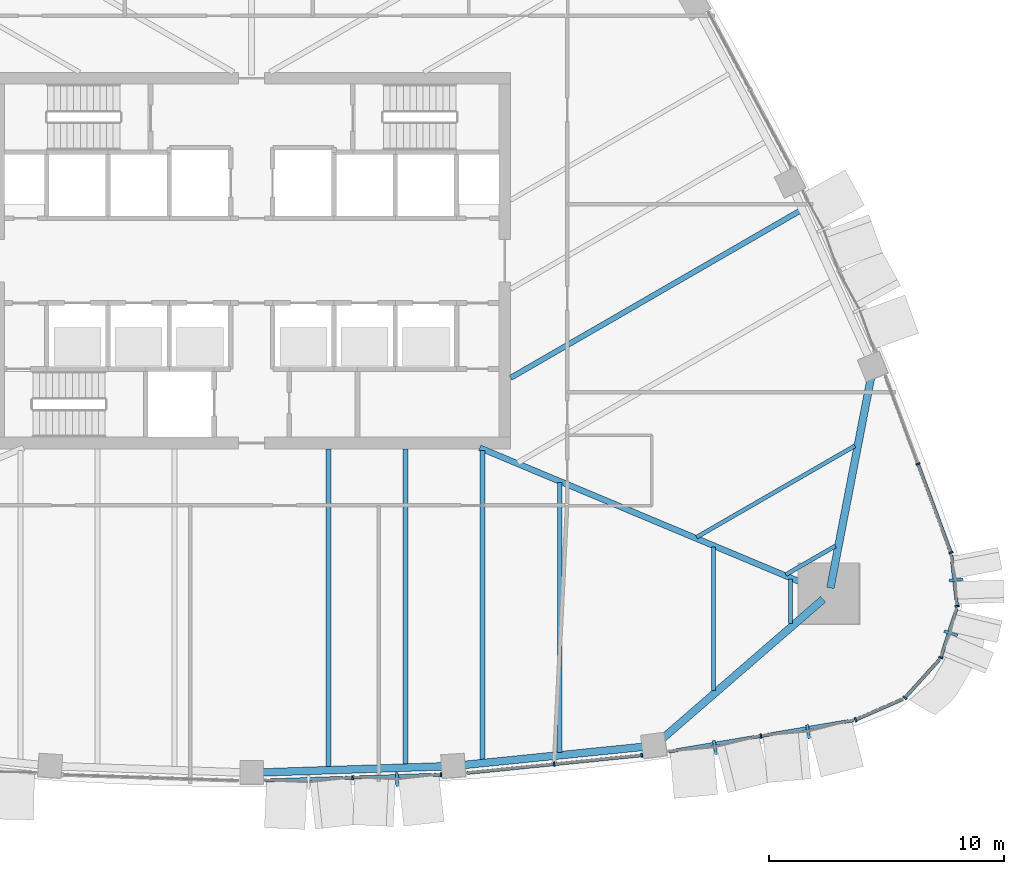
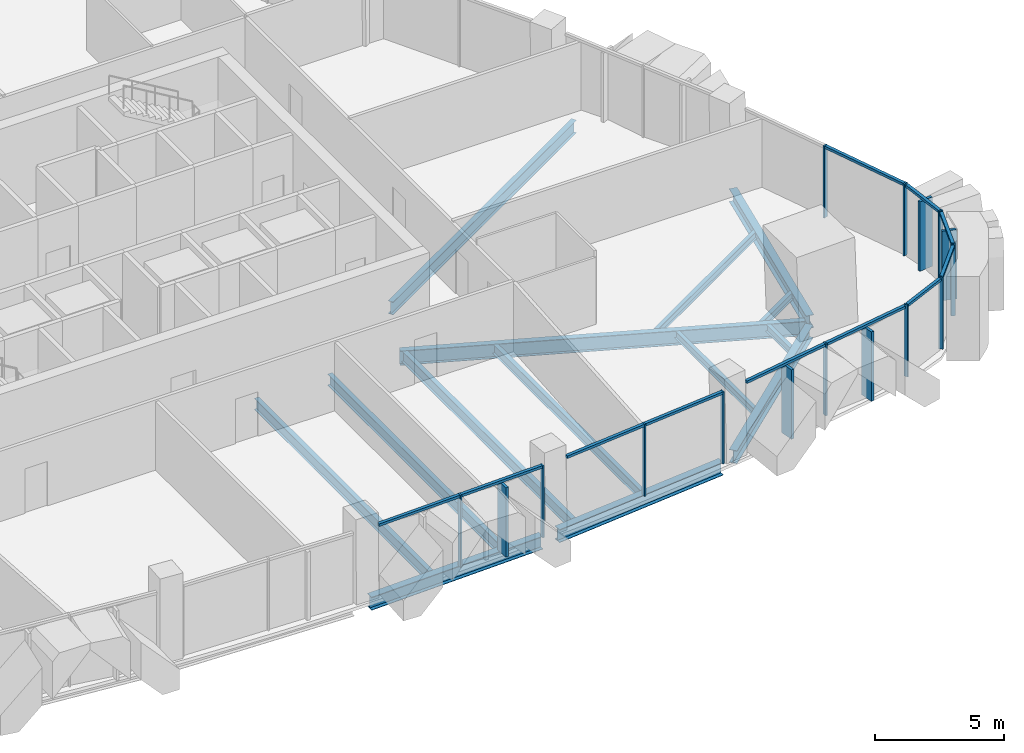
# One storey, part 4 of 17: 27 members, 14 beams, 8 elements without a shape of their own.
"""IFC4 building model written with IfcOpenShell, lengths in metres."""

from ifc_helpers import new_model, si_unit, direction, frame, origin, origin_2d, place, context, subcontext, project, spatial, rectangle, i_section, extrude, material, layer, layer_set, material_profile, profile_set, type_object, element, aggregate, save


model = new_model("IFC4")

# Units and contexts
model_context = context("Model", 3, precision=1e-05, world=origin(), true_north=direction((0.0, 1.0)))
body_context = subcontext(model_context, "Body", "Model", "MODEL_VIEW")
ifc_project = project(units=[si_unit("LENGTHUNIT", "METRE"), si_unit("AREAUNIT", "SQUARE_METRE"), si_unit("VOLUMEUNIT", "CUBIC_METRE"), si_unit("PLANEANGLEUNIT", "RADIAN"), si_unit("MASSUNIT", "GRAM", prefix="KILO")], contexts=[model_context])

# Site, building, storey
site_placement = place(None, origin())
site = spatial("IfcSite", under=ifc_project, at=site_placement, CompositionType="ELEMENT")
building_placement = place(site_placement, origin())
building = spatial("IfcBuilding", under=site, at=building_placement, Name="Sierra Prisma Convention Tower", CompositionType="ELEMENT")
storey_placement = place(building_placement, frame((0.0, 0.0, 145.800048828125)))
storey = spatial("IfcBuildingStorey", under=building, at=storey_placement, Name="L31", CompositionType="ELEMENT", Elevation=145.800048828125)

# Curtain wall, member
ifc_material_1 = material(Name="Aluminium and glass curtain wall", Category="aluminium")
ifc_layer_1 = layer(ifc_material_1, 0.179931640625)
ifc_layer_set_1 = layer_set([ifc_layer_1], Name="CW-2 Faceted crystal curtain wall")
curtain_wall_type_1 = type_object("IfcCurtainWallType", Name="CW-2 Faceted crystal curtain wall", PredefinedType="NOTDEFINED", material=ifc_layer_set_1)
curtain_wall_1_placement = place(storey_placement, origin())
curtain_wall_1 = element("IfcCurtainWall", 1, at=curtain_wall_1_placement, inside=storey, type_object=curtain_wall_type_1, Name="CW-2 S4 L31", PredefinedType="NOTDEFINED")
ifc_material_2 = material(Name="Aluminium 6063-T6 bronze anodised", Category="aluminium")
ifc_material_profile_1 = material_profile(ifc_material_2, rectangle(XDim=0.1201171875, YDim=0.60009765625, at=origin_2d()), Name="ALU RIDGE BLADE 120x600")
ifc_profile_set_1 = profile_set([ifc_material_profile_1], Name="Aluminium 6063-T6 bronze anodised")
member_type_1 = type_object("IfcMemberType", Name="CW hip bronze", PredefinedType="MULLION", material=ifc_profile_set_1)
member_1_placement = place(storey_placement, frame((6.17333984375, -22.045166015625, 0.0), z_axis=(0.0, 0.0, 1.0), x_axis=(0.999436823655, 0.033556452778, 0.0)))
member_1 = element("IfcMember", 2, at=member_1_placement, type_object=member_type_1, Name="CW-2 ridge S4.2", PredefinedType="MULLION", context=body_context, shape_type="SweptSolid", body=[
    extrude(rectangle(XDim=0.1201171875, YDim=0.60009765625, at=origin_2d()), origin(), (0.0, 0.0, 1.0), 3.280029296875),
])

# Curtain wall, members
curtain_wall_2_placement = place(storey_placement, origin())
curtain_wall_2 = element("IfcCurtainWall", 3, at=curtain_wall_2_placement, inside=storey, type_object=curtain_wall_type_1, Name="CW-2 S6 L31", PredefinedType="NOTDEFINED")
member_2_placement = place(storey_placement, frame((19.680908203125, -20.6826171875, 0.0), z_axis=(0.0, 0.0, 1.0), x_axis=(0.985952283133, 0.16702722947, 0.0)))
member_2 = element("IfcMember", 4, at=member_2_placement, type_object=member_type_1, Name="CW-2 ridge S6.1", PredefinedType="MULLION", context=body_context, shape_type="SweptSolid", body=[
    extrude(rectangle(XDim=0.1201171875, YDim=0.60009765625, at=origin_2d()), origin(), (0.0, 0.0, 1.0), 3.280029296875),
])
member_3_placement = place(storey_placement, frame((23.638671875, -20.01220703125, 0.0), z_axis=(0.0, 0.0, 1.0), x_axis=(0.985952283133, 0.16702722947, 0.0)))
member_3 = element("IfcMember", 5, at=member_3_placement, type_object=member_type_1, Name="CW-2 ridge S6.2", PredefinedType="MULLION", context=body_context, shape_type="SweptSolid", body=[
    extrude(rectangle(XDim=0.1201171875, YDim=0.60009765625, at=origin_2d()), origin(), (0.0, 0.0, 1.0), 3.280029296875),
])

# Curtain wall, member
curtain_wall_3_placement = place(storey_placement, origin())
curtain_wall_3 = element("IfcCurtainWall", 6, at=curtain_wall_3_placement, inside=storey, type_object=curtain_wall_type_1, Name="CW-2 SE3 L31", PredefinedType="NOTDEFINED")
member_4_placement = place(storey_placement, frame((29.6982421875, -15.8310546875, 0.0), z_axis=(0.0, 0.0, 1.0), x_axis=(0.307099278378, 0.951677483825, 0.0)))
member_4 = element("IfcMember", 7, at=member_4_placement, type_object=member_type_1, Name="CW-2 ridge SE3.1", PredefinedType="MULLION", context=body_context, shape_type="SweptSolid", body=[
    extrude(rectangle(XDim=0.1201171875, YDim=0.60009765625, at=origin_2d()), origin(), (0.0, 0.0, 1.0), 3.280029296875),
])

curtain_wall_4_placement = place(storey_placement, origin())
curtain_wall_4 = element("IfcCurtainWall", 8, at=curtain_wall_4_placement, inside=storey, type_object=curtain_wall_type_1, Name="CW-2 SE4 L31", PredefinedType="NOTDEFINED")
member_5_placement = place(storey_placement, frame((29.92724609375, -13.564208984375, 0.0), z_axis=(0.0, 0.0, 1.0), x_axis=(-0.110540629463, 0.993871606013, 0.0)))
member_5 = element("IfcMember", 9, at=member_5_placement, type_object=member_type_1, Name="CW-2 ridge SE4.1", PredefinedType="MULLION", context=body_context, shape_type="SweptSolid", body=[
    extrude(rectangle(XDim=0.1201171875, YDim=0.60009765625, at=origin_2d()), origin(), (0.0, 0.0, 1.0), 3.280029296875),
])

# Member
ifc_material_3 = material(Name="Aluminium 6063-T6 bronze anodised", Category="aluminium")
ifc_material_profile_2 = material_profile(ifc_material_3, rectangle(XDim=0.179931640625, YDim=0.070068359375, at=origin_2d()), Name="ALU MULLION 70x180")
ifc_profile_set_2 = profile_set([ifc_material_profile_2], Name="Aluminium 6063-T6 bronze anodised")
member_type_2 = type_object("IfcMemberType", Name="CW mullion bronze", PredefinedType="MULLION", material=ifc_profile_set_2)
member_6_placement = place(storey_placement, frame((4.29052734375, -21.963134765625, 0.0), z_axis=(0.0, 0.0, 1.0), x_axis=(-0.033556452778, 0.999436823655, 0.0)))
member_6 = element("IfcMember", 10, at=member_6_placement, type_object=member_type_2, Name="CW-1 mullion S4.2", PredefinedType="MULLION", context=body_context, shape_type="SweptSolid", body=[
    extrude(rectangle(XDim=0.179931640625, YDim=0.070068359375, at=origin_2d()), origin(), (0.0, 0.0, 1.0), 3.39990234375),
])

member_7_placement = place(storey_placement, frame((8.04638671875, -21.8369140625, 0.0), z_axis=(0.0, 0.0, 1.0), x_axis=(-0.033556452778, 0.999436823655, 0.0)))
member_7 = element("IfcMember", 11, at=member_7_placement, type_object=member_type_2, Name="CW-1 mullion S4.3", PredefinedType="MULLION", context=body_context, shape_type="SweptSolid", body=[
    extrude(rectangle(XDim=0.179931640625, YDim=0.070068359375, at=origin_2d()), origin(), (0.0, 0.0, 1.0), 3.39990234375),
])

# Curtain wall, members
ifc_material_4 = material(Name="Aluminium and glass curtain wall", Category="aluminium")
ifc_layer_2 = layer(ifc_material_4, 0.179931640625)
ifc_layer_set_2 = layer_set([ifc_layer_2], Name="CW-1 Plain shaft curtain wall")
curtain_wall_type_2 = type_object("IfcCurtainWallType", Name="CW-1 Plain shaft curtain wall", PredefinedType="NOTDEFINED", material=ifc_layer_set_2)
curtain_wall_5_placement = place(storey_placement, origin())
curtain_wall_5 = element("IfcCurtainWall", 12, at=curtain_wall_5_placement, inside=storey, type_object=curtain_wall_type_2, Name="CW-1 S5 L31", PredefinedType="NOTDEFINED")
member_8_placement = place(storey_placement, frame((12.848876953125, -21.388671875, 0.0), z_axis=(0.0, 0.0, 1.0), x_axis=(-0.100518215286, 0.99493521819, 0.0)))
member_8 = element("IfcMember", 13, at=member_8_placement, type_object=member_type_2, Name="CW-1 mullion S5.2", PredefinedType="MULLION", context=body_context, shape_type="SweptSolid", body=[
    extrude(rectangle(XDim=0.179931640625, YDim=0.070068359375, at=origin_2d()), origin(), (0.0, 0.0, 1.0), 3.39990234375),
])
member_9_placement = place(storey_placement, frame((16.571533203125, -21.0126953125, 0.0), z_axis=(0.0, 0.0, 1.0), x_axis=(-0.100518215286, 0.99493521819, 0.0)))
member_9 = element("IfcMember", 14, at=member_9_placement, type_object=member_type_2, Name="CW-1 mullion S5.3", PredefinedType="MULLION", context=body_context, shape_type="SweptSolid", body=[
    extrude(rectangle(XDim=0.179931640625, YDim=0.070068359375, at=origin_2d()), origin(), (0.0, 0.0, 1.0), 3.39990234375),
])

# Member
member_10_placement = place(storey_placement, frame((21.6337890625, -20.194580078125, 0.0), z_axis=(0.0, 0.0, 1.0), x_axis=(-0.16702722947, 0.985952283133, 0.0)))
member_10 = element("IfcMember", 15, at=member_10_placement, type_object=member_type_2, Name="CW-1 mullion S6.2", PredefinedType="MULLION", context=body_context, shape_type="SweptSolid", body=[
    extrude(rectangle(XDim=0.179931640625, YDim=0.070068359375, at=origin_2d()), origin(), (0.0, 0.0, 1.0), 3.39990234375),
])

# Curtain wall, member
curtain_wall_6_placement = place(storey_placement, origin())
curtain_wall_6 = element("IfcCurtainWall", 16, at=curtain_wall_6_placement, inside=storey, type_object=curtain_wall_type_2, Name="CW-1 SE1 L31", PredefinedType="NOTDEFINED")
member_11_placement = place(storey_placement, frame((25.658203125, -19.504150390625, 0.0), z_axis=(0.0, 0.0, 1.0), x_axis=(-0.401204809741, 0.915988373638, 0.0)))
member_11 = element("IfcMember", 17, at=member_11_placement, type_object=member_type_2, Name="CW-1 mullion SE1.1", PredefinedType="MULLION", context=body_context, shape_type="SweptSolid", body=[
    extrude(rectangle(XDim=0.179931640625, YDim=0.070068359375, at=origin_2d()), origin(), (0.0, 0.0, 1.0), 3.39990234375),
])

curtain_wall_7_placement = place(storey_placement, origin())
curtain_wall_7 = element("IfcCurtainWall", 18, at=curtain_wall_7_placement, inside=storey, type_object=curtain_wall_type_2, Name="CW-1 SE2 L31", PredefinedType="NOTDEFINED")
member_12_placement = place(storey_placement, frame((27.750732421875, -18.572021484375, 0.0), z_axis=(0.0, 0.0, 1.0), x_axis=(-0.741794518472, 0.670627238013, 0.0)))
member_12 = element("IfcMember", 19, at=member_12_placement, type_object=member_type_2, Name="CW-1 mullion SE2.1", PredefinedType="MULLION", context=body_context, shape_type="SweptSolid", body=[
    extrude(rectangle(XDim=0.179931640625, YDim=0.070068359375, at=origin_2d()), origin(), (0.0, 0.0, 1.0), 3.39990234375),
])

# Member
member_13_placement = place(storey_placement, frame((29.276123046875, -16.863037109375, 0.0), z_axis=(0.0, 0.0, 1.0), x_axis=(-0.951677483825, 0.307099278378, 0.0)))
member_13 = element("IfcMember", 20, at=member_13_placement, type_object=member_type_2, Name="CW-1 mullion SE3.1", PredefinedType="MULLION", context=body_context, shape_type="SweptSolid", body=[
    extrude(rectangle(XDim=0.179931640625, YDim=0.070068359375, at=origin_2d()), origin(), (0.0, 0.0, 1.0), 3.39990234375),
])

member_14_placement = place(storey_placement, frame((29.966064453125, -14.6787109375, 0.0), z_axis=(0.0, 0.0, 1.0), x_axis=(-0.993871606013, -0.110540629463, 0.0)))
member_14 = element("IfcMember", 21, at=member_14_placement, type_object=member_type_2, Name="CW-1 mullion SE4.1", PredefinedType="MULLION", context=body_context, shape_type="SweptSolid", body=[
    extrude(rectangle(XDim=0.179931640625, YDim=0.070068359375, at=origin_2d()), origin(), (0.0, 0.0, 1.0), 3.39990234375),
])

# Curtain wall, members
curtain_wall_8_placement = place(storey_placement, origin())
curtain_wall_8 = element("IfcCurtainWall", 22, at=curtain_wall_8_placement, inside=storey, type_object=curtain_wall_type_2, Name="CW-1 NE1 L31", PredefinedType="NOTDEFINED")
member_15_placement = place(storey_placement, frame((29.7041015625, -12.401123046875, 0.0), z_axis=(0.0, 0.0, 1.0), x_axis=(-0.937373338848, -0.348326317722, 0.0)))
member_15 = element("IfcMember", 23, at=member_15_placement, type_object=member_type_2, Name="CW-1 mullion NE1.1", PredefinedType="MULLION", context=body_context, shape_type="SweptSolid", body=[
    extrude(rectangle(XDim=0.179931640625, YDim=0.070068359375, at=origin_2d()), origin(), (0.0, 0.0, 1.0), 3.39990234375),
])
member_16_placement = place(storey_placement, frame((28.305908203125, -8.63818359375, 0.0), z_axis=(0.0, 0.0, 1.0), x_axis=(-0.937373338848, -0.348326317722, 0.0)))
member_16 = element("IfcMember", 24, at=member_16_placement, type_object=member_type_2, Name="CW-1 mullion NE1.2", PredefinedType="MULLION", context=body_context, shape_type="SweptSolid", body=[
    extrude(rectangle(XDim=0.179931640625, YDim=0.070068359375, at=origin_2d()), origin(), (0.0, 0.0, 1.0), 3.39990234375),
])

# Member
ifc_material_5 = material(Name="Aluminium 6063-T6 bronze anodised", Category="aluminium")
ifc_material_profile_3 = material_profile(ifc_material_5, rectangle(XDim=0.139892578125, YDim=0.1201171875, at=origin_2d()), Name="ALU TRANSOM 120x140")
ifc_profile_set_3 = profile_set([ifc_material_profile_3], Name="Aluminium 6063-T6 bronze anodised")
member_type_3 = type_object("IfcMemberType", Name="CW transom bronze", PredefinedType="USERDEFINED", material=ifc_profile_set_3)
member_17_placement = place(storey_placement, frame((0.569580078125, -22.088134765625, 3.33984375), z_axis=(0.999436647833, 0.033561688995, 0.0), x_axis=(-0.033561688995, 0.999436647833, 0.0)))
member_17 = element("IfcMember", 25, at=member_17_placement, type_object=member_type_3, Name="CW-1 transom S4.1", ObjectType="TRANSOM", PredefinedType="USERDEFINED", context=body_context, shape_type="SweptSolid", body=[
    extrude(rectangle(XDim=0.139892578125, YDim=0.1201171875, at=origin_2d()), origin(), (0.0, 0.0, 1.0), 3.688232421875),
])

member_18_placement = place(storey_placement, frame((4.325439453125, -21.9619140625, 3.33984375), z_axis=(0.999436573263, 0.033563909561, 0.0), x_axis=(-0.033563909561, 0.999436573263, 0.0)))
member_18 = element("IfcMember", 26, at=member_18_placement, type_object=member_type_3, Name="CW-1 transom S4.2", ObjectType="TRANSOM", PredefinedType="USERDEFINED", context=body_context, shape_type="SweptSolid", body=[
    extrude(rectangle(XDim=0.139892578125, YDim=0.1201171875, at=origin_2d()), origin(), (0.0, 0.0, 1.0), 3.68798828125),
])

aggregate(curtain_wall_1, [member_6, member_7, member_17, member_18, member_1])

member_19_placement = place(storey_placement, frame((9.16064453125, -21.76123046875, 3.33984375), z_axis=(0.994940613287, 0.100464799965, 0.0), x_axis=(-0.100464799965, 0.994940613287, 0.0)))
member_19 = element("IfcMember", 27, at=member_19_placement, type_object=member_type_3, Name="CW-1 transom S5.1", ObjectType="TRANSOM", PredefinedType="USERDEFINED", context=body_context, shape_type="SweptSolid", body=[
    extrude(rectangle(XDim=0.139892578125, YDim=0.1201171875, at=origin_2d()), origin(), (0.0, 0.0, 1.0), 3.671875),
])

member_20_placement = place(storey_placement, frame((12.883544921875, -21.38525390625, 3.33984375), z_axis=(0.994933965151, 0.100530617168, 0.0), x_axis=(-0.100530617168, 0.994933965151, 0.0)))
member_20 = element("IfcMember", 28, at=member_20_placement, type_object=member_type_3, Name="CW-1 transom S5.2", ObjectType="TRANSOM", PredefinedType="USERDEFINED", context=body_context, shape_type="SweptSolid", body=[
    extrude(rectangle(XDim=0.139892578125, YDim=0.1201171875, at=origin_2d()), origin(), (0.0, 0.0, 1.0), 3.671875),
])

aggregate(curtain_wall_5, [member_8, member_9, member_19, member_20])

member_21_placement = place(storey_placement, frame((17.71044921875, -20.859130859375, 3.33984375), z_axis=(0.98594702585, 0.167058259952, 0.0), x_axis=(-0.167058259952, 0.98594702585, 0.0)))
member_21 = element("IfcMember", 29, at=member_21_placement, type_object=member_type_3, Name="CW-1 transom S6.1", ObjectType="TRANSOM", PredefinedType="USERDEFINED", context=body_context, shape_type="SweptSolid", body=[
    extrude(rectangle(XDim=0.139892578125, YDim=0.1201171875, at=origin_2d()), origin(), (0.0, 0.0, 1.0), 3.9443359375),
])

member_22_placement = place(storey_placement, frame((21.66845703125, -20.188720703125, 3.33984375), z_axis=(0.98594529826, 0.16706845555, 0.0), x_axis=(-0.16706845555, 0.98594529826, 0.0)))
member_22 = element("IfcMember", 30, at=member_22_placement, type_object=member_type_3, Name="CW-1 transom S6.2", ObjectType="TRANSOM", PredefinedType="USERDEFINED", context=body_context, shape_type="SweptSolid", body=[
    extrude(rectangle(XDim=0.139892578125, YDim=0.1201171875, at=origin_2d()), origin(), (0.0, 0.0, 1.0), 3.944091796875),
])

aggregate(curtain_wall_2, [member_10, member_21, member_2, member_22, member_3])

member_23_placement = place(storey_placement, frame((25.690185546875, -19.489990234375, 3.33984375), z_axis=(0.916008983632, 0.401157751896, 0.0), x_axis=(-0.401157751896, 0.916008983632, 0.0)))
member_23 = element("IfcMember", 31, at=member_23_placement, type_object=member_type_3, Name="CW-1 transom SE1.1", ObjectType="TRANSOM", PredefinedType="USERDEFINED", context=body_context, shape_type="SweptSolid", body=[
    extrude(rectangle(XDim=0.139892578125, YDim=0.1201171875, at=origin_2d()), origin(), (0.0, 0.0, 1.0), 2.15380859375),
])

aggregate(curtain_wall_6, [member_11, member_23])

member_24_placement = place(storey_placement, frame((27.774169921875, -18.5458984375, 3.33984375), z_axis=(0.670616451723, 0.74180426979, 0.0), x_axis=(-0.74180426979, 0.670616451723, 0.0)))
member_24 = element("IfcMember", 32, at=member_24_placement, type_object=member_type_3, Name="CW-1 transom SE2.1", ObjectType="TRANSOM", PredefinedType="USERDEFINED", context=body_context, shape_type="SweptSolid", body=[
    extrude(rectangle(XDim=0.139892578125, YDim=0.1201171875, at=origin_2d()), origin(), (0.0, 0.0, 1.0), 2.15380859375),
])

aggregate(curtain_wall_7, [member_12, member_24])

member_25_placement = place(storey_placement, frame((29.286865234375, -16.829833984375, 3.33984375), z_axis=(0.307065704106, 0.95168831734, 0.0), x_axis=(-0.95168831734, 0.307065704106, 0.0)))
member_25 = element("IfcMember", 33, at=member_25_placement, type_object=member_type_3, Name="CW-1 transom SE3.1", ObjectType="TRANSOM", PredefinedType="USERDEFINED", context=body_context, shape_type="SweptSolid", body=[
    extrude(rectangle(XDim=0.139892578125, YDim=0.1201171875, at=origin_2d()), origin(), (0.0, 0.0, 1.0), 2.15380859375),
])

aggregate(curtain_wall_3, [member_13, member_25, member_4])

member_26_placement = place(storey_placement, frame((29.962158203125, -14.64404296875, 3.33984375), z_axis=(-0.110518613489, 0.993874054432, 0.0), x_axis=(-0.993874054432, -0.110518613489, 0.0)))
member_26 = element("IfcMember", 34, at=member_26_placement, type_object=member_type_3, Name="CW-1 transom SE4.1", ObjectType="TRANSOM", PredefinedType="USERDEFINED", context=body_context, shape_type="SweptSolid", body=[
    extrude(rectangle(XDim=0.139892578125, YDim=0.1201171875, at=origin_2d()), origin(), (0.0, 0.0, 1.0), 2.15380859375),
])

aggregate(curtain_wall_4, [member_14, member_26, member_5])

member_27_placement = place(storey_placement, frame((29.69189453125, -12.3681640625, 3.33984375), z_axis=(-0.348320187294, 0.937375616881, 0.0), x_axis=(-0.937375616881, -0.348320187294, 0.0)))
member_27 = element("IfcMember", 35, at=member_27_placement, type_object=member_type_3, Name="CW-1 transom NE1.1", ObjectType="TRANSOM", PredefinedType="USERDEFINED", context=body_context, shape_type="SweptSolid", body=[
    extrude(rectangle(XDim=0.139892578125, YDim=0.1201171875, at=origin_2d()), origin(), (0.0, 0.0, 1.0), 3.944091796875),
])

aggregate(curtain_wall_8, [member_15, member_16, member_27])

# Beams
ifc_material_6 = material(Name="Steel ASTM A992 Gr 50", Category="steel")
ifc_material_profile_4 = material_profile(ifc_material_6, i_section(OverallWidth=0.172119140625, OverallDepth=0.35791015625, WebThickness=0.0078125, FlangeThickness=0.01318359375, at=origin_2d()), Name="W360x57")
ifc_profile_set_4 = profile_set([ifc_material_profile_4], Name="Steel ASTM A992 Gr 50")
beam_type_1 = type_object("IfcBeamType", Name="Floor joist W360x57", PredefinedType="JOIST", material=ifc_profile_set_4)
beam_1_placement = place(storey_placement, frame((19.62646484375, -18.25341796875, -0.3291015625), z_axis=(0.0, 1.0, 0.0), x_axis=(-1.0, 0.0, 0.0)))
element("IfcBeam", 36, at=beam_1_placement, inside=storey, type_object=beam_type_1, Name="Floor joist L31 S14", PredefinedType="JOIST", context=body_context, shape_type="SweptSolid", body=[
    extrude(i_section(OverallWidth=0.172119140625, OverallDepth=0.35791015625, WebThickness=0.0078125, FlangeThickness=0.01318359375, at=origin_2d()), origin(), (0.0, 0.0, 1.0), 6.0869140625),
])
beam_2_placement = place(storey_placement, frame((22.897705078125, -15.417236328125, -0.3291015625), z_axis=(0.0, 1.0, 0.0), x_axis=(-1.0, 0.0, 0.0)))
element("IfcBeam", 37, at=beam_2_placement, inside=storey, type_object=beam_type_1, Name="Floor joist L31 S15", PredefinedType="JOIST", context=body_context, shape_type="SweptSolid", body=[
    extrude(i_section(OverallWidth=0.172119140625, OverallDepth=0.35791015625, WebThickness=0.0078125, FlangeThickness=0.01318359375, at=origin_2d()), origin(), (0.0, 0.0, 1.0), 1.88232421875),
])
beam_3_placement = place(storey_placement, frame((24.800537109375, -12.121337890625, -0.3291015625), z_axis=(-0.866006919521, -0.500032014317, 0.0), x_axis=(0.500032014317, -0.866006919521, 0.0)))
element("IfcBeam", 38, at=beam_3_placement, inside=storey, type_object=beam_type_1, Name="Floor joist L31 NE01", PredefinedType="JOIST", context=body_context, shape_type="SweptSolid", body=[
    extrude(i_section(OverallWidth=0.172119140625, OverallDepth=0.35791015625, WebThickness=0.0078125, FlangeThickness=0.01318359375, at=origin_2d()), origin(), (0.0, 0.0, 1.0), 2.434814453125),
])
beam_4_placement = place(storey_placement, frame((25.62109375, -7.87060546875, -0.3291015625), z_axis=(-0.866030029641, -0.499991987696, 0.0), x_axis=(0.499991987696, -0.866030029641, 0.0)))
element("IfcBeam", 39, at=beam_4_placement, inside=storey, type_object=beam_type_1, Name="Floor joist L31 NE02", PredefinedType="JOIST", context=body_context, shape_type="SweptSolid", body=[
    extrude(i_section(OverallWidth=0.172119140625, OverallDepth=0.35791015625, WebThickness=0.0078125, FlangeThickness=0.01318359375, at=origin_2d()), origin(), (0.0, 0.0, 1.0), 7.762451171875),
])
ifc_material_7 = material(Name="Steel ASTM A992 Gr 50", Category="steel")
ifc_material_profile_5 = material_profile(ifc_material_7, i_section(OverallWidth=0.18994140625, OverallDepth=0.45703125, WebThickness=0.009033203125, FlangeThickness=0.014404296875, at=origin_2d()), Name="W460x74")
ifc_profile_set_5 = profile_set([ifc_material_profile_5], Name="Steel ASTM A992 Gr 50")
beam_type_2 = type_object("IfcBeamType", Name="Floor joist W460x74", PredefinedType="JOIST", material=ifc_profile_set_5)
beam_5_placement = place(storey_placement, frame((13.08447265625, -20.89990234375, -0.378662109375), z_axis=(0.0, 1.0, 0.0), x_axis=(-1.0, 0.0, 0.0)))
element("IfcBeam", 40, at=beam_5_placement, inside=storey, type_object=beam_type_2, Name="Floor joist L31 S12", PredefinedType="JOIST", context=body_context, shape_type="SweptSolid", body=[
    extrude(i_section(OverallWidth=0.18994140625, OverallDepth=0.45703125, WebThickness=0.009033203125, FlangeThickness=0.014404296875, at=origin_2d()), origin(), (0.0, 0.0, 1.0), 11.470703125),
])
ifc_material_8 = material(Name="Steel ASTM A992 Gr 50", Category="steel")
ifc_material_profile_6 = material_profile(ifc_material_8, i_section(OverallWidth=0.208984375, OverallDepth=0.532958984375, WebThickness=0.01025390625, FlangeThickness=0.015625, at=origin_2d()), Name="W530x92")
ifc_profile_set_6 = profile_set([ifc_material_profile_6], Name="Steel ASTM A992 Gr 50")
beam_type_3 = type_object("IfcBeamType", Name="Floor joist W530x92", PredefinedType="JOIST", material=ifc_profile_set_6)
beam_6_placement = place(storey_placement, frame((3.27099609375, -21.53466796875, -0.41650390625), z_axis=(0.0, 1.0, 0.0), x_axis=(-1.0, 0.0, 0.0)))
element("IfcBeam", 41, at=beam_6_placement, inside=storey, type_object=beam_type_3, Name="Floor joist L31 S09", PredefinedType="JOIST", context=body_context, shape_type="SweptSolid", body=[
    extrude(i_section(OverallWidth=0.208984375, OverallDepth=0.532958984375, WebThickness=0.01025390625, FlangeThickness=0.015625, at=origin_2d()), origin(), (0.0, 0.0, 1.0), 13.53466796875),
])
beam_7_placement = place(storey_placement, frame((6.542236328125, -21.4248046875, -0.41650390625), z_axis=(0.0, 1.0, 0.0), x_axis=(-1.0, 0.0, 0.0)))
element("IfcBeam", 42, at=beam_7_placement, inside=storey, type_object=beam_type_3, Name="Floor joist L31 S10", PredefinedType="JOIST", context=body_context, shape_type="SweptSolid", body=[
    extrude(i_section(OverallWidth=0.208984375, OverallDepth=0.532958984375, WebThickness=0.01025390625, FlangeThickness=0.015625, at=origin_2d()), origin(), (0.0, 0.0, 1.0), 13.4248046875),
])
beam_8_placement = place(storey_placement, frame((9.813232421875, -21.23046875, -0.41650390625), z_axis=(0.0, 1.0, 0.0), x_axis=(-1.0, 0.0, 0.0)))
element("IfcBeam", 43, at=beam_8_placement, inside=storey, type_object=beam_type_3, Name="Floor joist L31 S11", PredefinedType="JOIST", context=body_context, shape_type="SweptSolid", body=[
    extrude(i_section(OverallWidth=0.208984375, OverallDepth=0.532958984375, WebThickness=0.01025390625, FlangeThickness=0.015625, at=origin_2d()), origin(), (0.0, 0.0, 1.0), 13.169921875),
])
ifc_material_9 = material(Name="Steel ASTM A992 Gr 50", Category="steel")
ifc_material_profile_7 = material_profile(ifc_material_9, i_section(OverallWidth=0.22802734375, OverallDepth=0.60302734375, WebThickness=0.010498046875, FlangeThickness=0.014892578125, at=origin_2d()), Name="W610x101")
ifc_profile_set_7 = profile_set([ifc_material_profile_7], Name="Steel ASTM A992 Gr 50")
beam_type_4 = type_object("IfcBeamType", Name="Floor joist W610x101", PredefinedType="JOIST", material=ifc_profile_set_7)
beam_9_placement = place(storey_placement, frame((23.292724609375, 2.11669921875, -0.45166015625), z_axis=(-0.86602662077, -0.499997892113, 0.0), x_axis=(0.499997892113, -0.86602662077, 0.0)))
element("IfcBeam", 44, at=beam_9_placement, inside=storey, type_object=beam_type_4, Name="Floor joist L31 NE05", PredefinedType="JOIST", context=body_context, shape_type="SweptSolid", body=[
    extrude(i_section(OverallWidth=0.22802734375, OverallDepth=0.60302734375, WebThickness=0.010498046875, FlangeThickness=0.014892578125, at=origin_2d()), origin(), (0.0, 0.0, 1.0), 14.1943359375),
])
ifc_material_10 = material(Name="Steel ASTM A992 Gr 50", Category="steel")
ifc_material_profile_8 = material_profile(ifc_material_10, i_section(OverallWidth=0.25390625, OverallDepth=0.68408203125, WebThickness=0.012451171875, FlangeThickness=0.018798828125, at=origin_2d()), Name="W690x140")
ifc_profile_set_8 = profile_set([ifc_material_profile_8], Name="Steel ASTM A992 Gr 50")
beam_type_5 = type_object("IfcBeamType", Name="Radial girder W690x140", PredefinedType="BEAM", material=ifc_profile_set_8)
beam_10_placement = place(storey_placement, frame((24.273193359375, -14.055419921875, -0.491943359375), z_axis=(-0.922511202715, 0.385970310859, 0.0), x_axis=(-0.385970310859, -0.922511202715, 0.0)))
element("IfcBeam", 45, at=beam_10_placement, inside=storey, type_object=beam_type_5, Name="Radial girder L31 SE", PredefinedType="BEAM", context=body_context, shape_type="SweptSolid", body=[
    extrude(i_section(OverallWidth=0.25390625, OverallDepth=0.68408203125, WebThickness=0.012451171875, FlangeThickness=0.018798828125, at=origin_2d()), origin(), (0.0, 0.0, 1.0), 15.80908203125),
])
ifc_material_11 = material(Name="Steel ASTM A992 Gr 50", Category="steel")
ifc_material_profile_9 = material_profile(ifc_material_11, i_section(OverallWidth=0.324951171875, OverallDepth=0.615966796875, WebThickness=0.013916015625, FlangeThickness=0.021484375, at=origin_2d()), Name="W610x174")
ifc_profile_set_9 = profile_set([ifc_material_profile_9], Name="Steel ASTM A992 Gr 50")
beam_type_6 = type_object("IfcBeamType", Name="Spandrel beam W610x174", PredefinedType="BEAM", material=ifc_profile_set_9)
beam_11_placement = place(storey_placement, frame((0.380126953125, -21.744384765625, -0.4580078125), z_axis=(0.999436867917, 0.033555134457, 0.0), x_axis=(-0.033555134457, 0.999436867917, 0.0)))
element("IfcBeam", 46, at=beam_11_placement, inside=storey, type_object=beam_type_6, Name="Spandrel L31-04", PredefinedType="BEAM", context=body_context, shape_type="SweptSolid", body=[
    extrude(i_section(OverallWidth=0.324951171875, OverallDepth=0.615966796875, WebThickness=0.013916015625, FlangeThickness=0.021484375, at=origin_2d()), origin(), (0.0, 0.0, 1.0), 7.814208984375),
])
beam_12_placement = place(storey_placement, frame((8.948486328125, -21.43115234375, -0.4580078125), z_axis=(0.994936463243, 0.10050589092, 0.0), x_axis=(-0.10050589092, 0.994936463243, 0.0)))
element("IfcBeam", 47, at=beam_12_placement, inside=storey, type_object=beam_type_6, Name="Spandrel L31-05", PredefinedType="BEAM", context=body_context, shape_type="SweptSolid", body=[
    extrude(i_section(OverallWidth=0.324951171875, OverallDepth=0.615966796875, WebThickness=0.013916015625, FlangeThickness=0.021484375, at=origin_2d()), origin(), (0.0, 0.0, 1.0), 7.814453125),
])
beam_13_placement = place(storey_placement, frame((17.462646484375, -20.29443359375, -0.4580078125), z_axis=(0.755562167984, 0.655076949916, 0.0), x_axis=(-0.655076949916, 0.755562167984, 0.0)))
element("IfcBeam", 48, at=beam_13_placement, inside=storey, type_object=beam_type_6, Name="Spandrel L31-06", PredefinedType="BEAM", context=body_context, shape_type="SweptSolid", body=[
    extrude(i_section(OverallWidth=0.324951171875, OverallDepth=0.615966796875, WebThickness=0.013916015625, FlangeThickness=0.021484375, at=origin_2d()), origin(), (0.0, 0.0, 1.0), 9.013916015625),
])
beam_14_placement = place(storey_placement, frame((24.58349609375, -13.904296875, -0.4580078125), z_axis=(0.189523501909, 0.981876184773, 0.0), x_axis=(-0.981876184773, 0.189523501909, 0.0)))
element("IfcBeam", 49, at=beam_14_placement, inside=storey, type_object=beam_type_6, Name="Spandrel L31-07", PredefinedType="BEAM", context=body_context, shape_type="SweptSolid", body=[
    extrude(i_section(OverallWidth=0.324951171875, OverallDepth=0.615966796875, WebThickness=0.013916015625, FlangeThickness=0.021484375, at=origin_2d()), origin(), (0.0, 0.0, 1.0), 9.09326171875),
])

save(model, "model.ifc")
